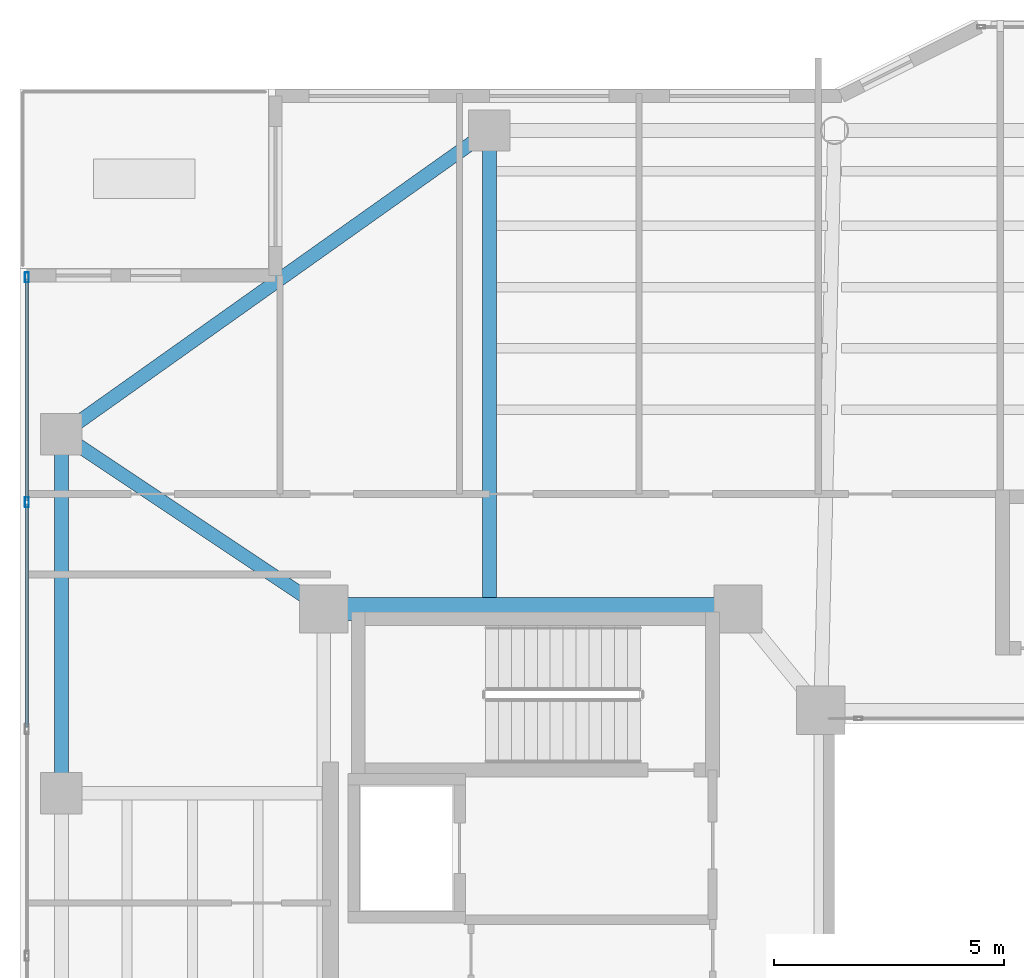
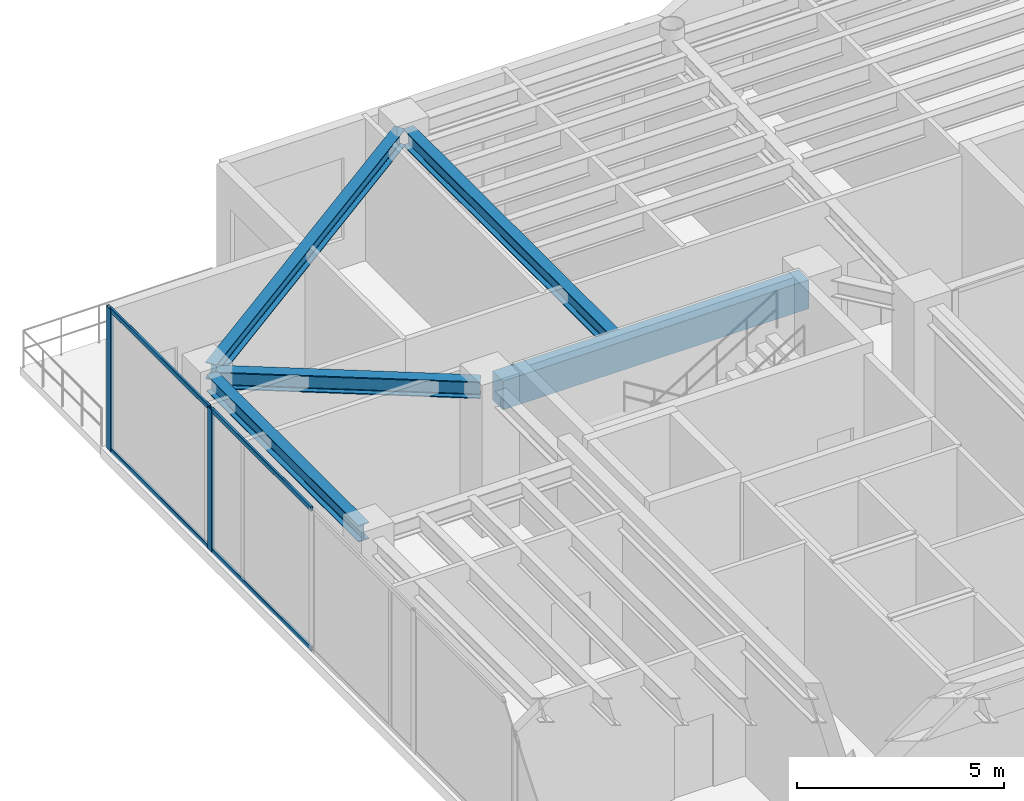
# One storey, part 17 of 33: 6 members, 5 beams, 1 element without a shape of its own.
"""IFC4 building model written with IfcOpenShell, lengths in metres."""

from ifc_helpers import new_model, si_unit, direction, frame, origin, origin_2d, place, context, subcontext, project, spatial, rectangle, hollow_rectangle, i_section, extrude, material, layer, layer_set, material_profile, profile_set, type_object, element, aggregate, save


model = new_model("IFC4")

# Units and contexts
model_context = context("Model", 3, precision=1e-05, world=origin(), true_north=direction((0.0, 1.0)))
body_context = subcontext(model_context, "Body", "Model", "MODEL_VIEW")
ifc_project = project(units=[si_unit("LENGTHUNIT", "METRE"), si_unit("AREAUNIT", "SQUARE_METRE"), si_unit("VOLUMEUNIT", "CUBIC_METRE"), si_unit("PLANEANGLEUNIT", "RADIAN"), si_unit("MASSUNIT", "GRAM", prefix="KILO")], contexts=[model_context])

# Site, building, storey
site_placement = place(None, origin())
site = spatial("IfcSite", under=ifc_project, at=site_placement, CompositionType="ELEMENT")
building_placement = place(site_placement, origin())
building = spatial("IfcBuilding", under=site, at=building_placement, Name="Tarnavaz Court Tower", CompositionType="ELEMENT")
storey_placement = place(building_placement, frame((0.0, 0.0, 172.800048828125)))
storey = spatial("IfcBuildingStorey", under=building, at=storey_placement, Name="L47", CompositionType="ELEMENT", Elevation=172.800048828125)

# Beams
ifc_material_1 = material(Name="Concrete C50/60", Category="concrete")
ifc_material_profile_1 = material_profile(ifc_material_1, rectangle(XDim=0.5, YDim=0.85009765625, at=origin_2d()), Name="RC 500X850")
ifc_profile_set_1 = profile_set([ifc_material_profile_1], Name="Concrete C50/60")
beam_type_1 = type_object("IfcBeamType", Name="BM-CB850", PredefinedType="LINTEL", material=ifc_profile_set_1)
beam_1_placement = place(storey_placement, frame((-18.3798828125, 10.0, 3.77490234375), z_axis=(1.0, 0.0, 0.0), x_axis=(0.0, 1.0, 0.0)))
element("IfcBeam", 1, at=beam_1_placement, inside=storey, type_object=beam_type_1, Name="L47 Beam IN-CW-NO-CW-NI", PredefinedType="LINTEL", context=body_context, shape_type="SweptSolid", body=[
    extrude(rectangle(XDim=0.5, YDim=0.85009765625, at=origin_2d()), origin(), (0.0, 0.0, 1.0), 8.559814453125),
])
ifc_material_2 = material(Name="Steel S355", Category="steel")
ifc_material_profile_2 = material_profile(ifc_material_2, i_section(OverallWidth=0.300048828125, OverallDepth=0.5, WebThickness=0.014404296875, FlangeThickness=0.028076171875, FilletRadius=0.027099609375, at=origin_2d()), Name="HEB 500")
ifc_profile_set_2 = profile_set([ifc_material_profile_2], Name="Steel S355")
beam_type_2 = type_object("IfcBeamType", Name="BM-G-HEB500", PredefinedType="USERDEFINED", material=ifc_profile_set_2)
beam_2_placement = place(storey_placement, frame((-15.0, 10.0400390625, 3.949951171875), z_axis=(0.0, 1.0, 0.0), x_axis=(-1.0, 0.0, 0.0)))
element("IfcBeam", 2, at=beam_2_placement, inside=storey, type_object=beam_type_2, Name="L47 Beam RG-01", ObjectType="GIRDER", PredefinedType="USERDEFINED", context=body_context, shape_type="SweptSolid", body=[
    extrude(i_section(OverallWidth=0.300048828125, OverallDepth=0.5, WebThickness=0.014404296875, FlangeThickness=0.028076171875, FilletRadius=0.027099609375, at=origin_2d()), origin(), (0.0, 0.0, 1.0), 10.139892578125),
])
beam_3_placement = place(storey_placement, frame((-18.783203125, 10.1220703125, 3.949951171875), z_axis=(-0.832044435051, 0.554708985056, 0.0), x_axis=(-0.554708985056, -0.832044435051, 0.0)))
element("IfcBeam", 3, at=beam_3_placement, inside=storey, type_object=beam_type_2, Name="L47 Beam RG-16", ObjectType="GIRDER", PredefinedType="USERDEFINED", context=body_context, shape_type="SweptSolid", body=[
    extrude(i_section(OverallWidth=0.300048828125, OverallDepth=0.5, WebThickness=0.014404296875, FlangeThickness=0.028076171875, FilletRadius=0.027099609375, at=origin_2d()), origin(), (0.0, 0.0, 1.0), 6.410400390625),
])
ifc_material_profile_3 = material_profile(ifc_material_2, i_section(OverallWidth=0.300048828125, OverallDepth=0.489990234375, WebThickness=0.011962890625, FlangeThickness=0.02294921875, FilletRadius=0.027099609375, at=origin_2d()), Name="HEA 500")
ifc_profile_set_3 = profile_set([ifc_material_profile_3], Name="Steel S355")
beam_type_3 = type_object("IfcBeamType", Name="BM-SP-HEA500", PredefinedType="SPANDREL", material=ifc_profile_set_3)
beam_4_placement = place(storey_placement, frame((-24.300048828125, 6.219970703125, 3.954833984375), z_axis=(0.0, 1.0, 0.0), x_axis=(-1.0, 0.0, 0.0)))
element("IfcBeam", 4, at=beam_4_placement, inside=storey, type_object=beam_type_3, Name="L47 Beam PR-PW-3-PW-4", PredefinedType="SPANDREL", context=body_context, shape_type="SweptSolid", body=[
    extrude(i_section(OverallWidth=0.300048828125, OverallDepth=0.489990234375, WebThickness=0.011962890625, FlangeThickness=0.02294921875, FilletRadius=0.027099609375, at=origin_2d()), origin(), (0.0, 0.0, 1.0), 7.360107421875),
])
beam_5_placement = place(storey_placement, frame((-24.12060546875, 13.92724609375, 3.954833984375), z_axis=(0.815502059396, 0.57875417158, 0.0), x_axis=(-0.57875417158, 0.815502059396, 0.0)))
element("IfcBeam", 5, at=beam_5_placement, inside=storey, type_object=beam_type_3, Name="L47 Beam PR-PW-4-PN-1", PredefinedType="SPANDREL", context=body_context, shape_type="SweptSolid", body=[
    extrude(i_section(OverallWidth=0.300048828125, OverallDepth=0.489990234375, WebThickness=0.011962890625, FlangeThickness=0.02294921875, FilletRadius=0.027099609375, at=origin_2d()), origin(), (0.0, 0.0, 1.0), 10.964111328125),
])

# Curtain wall, members
ifc_material_3 = material(Name="Anodised Aluminium 6063-T6 and Solar Low-E Glazing", Category="aluminium")
ifc_layer = layer(ifc_material_3, 0.199951171875)
ifc_layer_set = layer_set([ifc_layer], Name="Anodised Aluminium 6063-T6 and Solar Low-E Glazing")
curtain_wall_type = type_object("IfcCurtainWallType", Name="CW-SYS-05", PredefinedType="NOTDEFINED", material=ifc_layer_set)
curtain_wall_placement = place(storey_placement, origin())
curtain_wall = element("IfcCurtainWall", 6, at=curtain_wall_placement, inside=storey, type_object=curtain_wall_type, Name="L47 Sky-Portal Curtain Wall 2", PredefinedType="NOTDEFINED")
ifc_material_4 = material(Name="Anodised Aluminium 6063-T6", Category="aluminium")
ifc_material_profile_4 = material_profile(ifc_material_4, hollow_rectangle(XDim=0.0849609375, YDim=0.219970703125, WallThickness=0.006103515625, InnerFilletRadius=0.006103515625, OuterFilletRadius=0.011962890625, at=origin_2d()), Name="ALU RHS 220X85X6")
ifc_profile_set_4 = profile_set([ifc_material_profile_4], Name="Anodised Aluminium 6063-T6")
member_type_1 = type_object("IfcMemberType", Name="CW-MUL-220", PredefinedType="MULLION", material=ifc_profile_set_4)
member_1_placement = place(storey_placement, frame((-25.050048828125, 12.321533203125, 0.0), z_axis=(0.0, 0.0, 1.0), x_axis=(-1.0, 0.0, 0.0)))
member_1 = element("IfcMember", 7, at=member_1_placement, type_object=member_type_1, Name="CW mullion 7", PredefinedType="MULLION", context=body_context, shape_type="SweptSolid", body=[
    extrude(hollow_rectangle(XDim=0.0849609375, YDim=0.219970703125, WallThickness=0.006103515625, InnerFilletRadius=0.006103515625, OuterFilletRadius=0.011962890625, at=origin_2d()), origin(), (0.0, 0.0, 1.0), 4.199951171875),
])
member_2_placement = place(storey_placement, frame((-25.050048828125, 17.20751953125, 0.0), z_axis=(0.0, 0.0, 1.0), x_axis=(-1.0, 0.0, 0.0)))
member_2 = element("IfcMember", 8, at=member_2_placement, type_object=member_type_1, Name="CW mullion 8", PredefinedType="MULLION", context=body_context, shape_type="SweptSolid", body=[
    extrude(hollow_rectangle(XDim=0.0849609375, YDim=0.219970703125, WallThickness=0.006103515625, InnerFilletRadius=0.006103515625, OuterFilletRadius=0.011962890625, at=origin_2d()), origin(), (0.0, 0.0, 1.0), 4.199951171875),
])
ifc_material_profile_5 = material_profile(ifc_material_4, hollow_rectangle(XDim=0.06494140625, YDim=0.139892578125, WallThickness=0.00390625, InnerFilletRadius=0.00390625, OuterFilletRadius=0.008056640625, at=origin_2d()), Name="ALU RHS 140X65X4")
ifc_profile_set_5 = profile_set([ifc_material_profile_5], Name="Anodised Aluminium 6063-T6")
member_type_2 = type_object("IfcMemberType", Name="CW-TRN-140", PredefinedType="USERDEFINED", material=ifc_profile_set_5)
member_3_placement = place(storey_placement, frame((-25.050048828125, 7.435302734375, 0.032470703125), z_axis=(0.0, 1.0, 0.0), x_axis=(-1.0, 0.0, 0.0)))
member_3 = element("IfcMember", 9, at=member_3_placement, type_object=member_type_2, Name="CW transom 6.1", ObjectType="TRANSOM", PredefinedType="USERDEFINED", context=body_context, shape_type="SweptSolid", body=[
    extrude(hollow_rectangle(XDim=0.06494140625, YDim=0.139892578125, WallThickness=0.00390625, InnerFilletRadius=0.00390625, OuterFilletRadius=0.008056640625, at=origin_2d()), origin(), (0.0, 0.0, 1.0), 4.843505859375),
])
member_4_placement = place(storey_placement, frame((-25.050048828125, 7.435302734375, 4.16748046875), z_axis=(0.0, 1.0, 0.0), x_axis=(-1.0, 0.0, 0.0)))
member_4 = element("IfcMember", 10, at=member_4_placement, type_object=member_type_2, Name="CW transom 6.2", ObjectType="TRANSOM", PredefinedType="USERDEFINED", context=body_context, shape_type="SweptSolid", body=[
    extrude(hollow_rectangle(XDim=0.06494140625, YDim=0.139892578125, WallThickness=0.00390625, InnerFilletRadius=0.00390625, OuterFilletRadius=0.008056640625, at=origin_2d()), origin(), (0.0, 0.0, 1.0), 4.843505859375),
])
member_5_placement = place(storey_placement, frame((-25.050048828125, 12.364013671875, 0.032470703125), z_axis=(0.0, 1.0, 0.0), x_axis=(-1.0, 0.0, 0.0)))
member_5 = element("IfcMember", 11, at=member_5_placement, type_object=member_type_2, Name="CW transom 7.1", ObjectType="TRANSOM", PredefinedType="USERDEFINED", context=body_context, shape_type="SweptSolid", body=[
    extrude(hollow_rectangle(XDim=0.06494140625, YDim=0.139892578125, WallThickness=0.00390625, InnerFilletRadius=0.00390625, OuterFilletRadius=0.008056640625, at=origin_2d()), origin(), (0.0, 0.0, 1.0), 4.801025390625),
])
member_6_placement = place(storey_placement, frame((-25.050048828125, 12.364013671875, 4.16748046875), z_axis=(0.0, 1.0, 0.0), x_axis=(-1.0, 0.0, 0.0)))
member_6 = element("IfcMember", 12, at=member_6_placement, type_object=member_type_2, Name="CW transom 7.2", ObjectType="TRANSOM", PredefinedType="USERDEFINED", context=body_context, shape_type="SweptSolid", body=[
    extrude(hollow_rectangle(XDim=0.06494140625, YDim=0.139892578125, WallThickness=0.00390625, InnerFilletRadius=0.00390625, OuterFilletRadius=0.008056640625, at=origin_2d()), origin(), (0.0, 0.0, 1.0), 4.801025390625),
])
aggregate(curtain_wall, [member_1, member_2, member_3, member_4, member_5, member_6])

save(model, "model.ifc")
